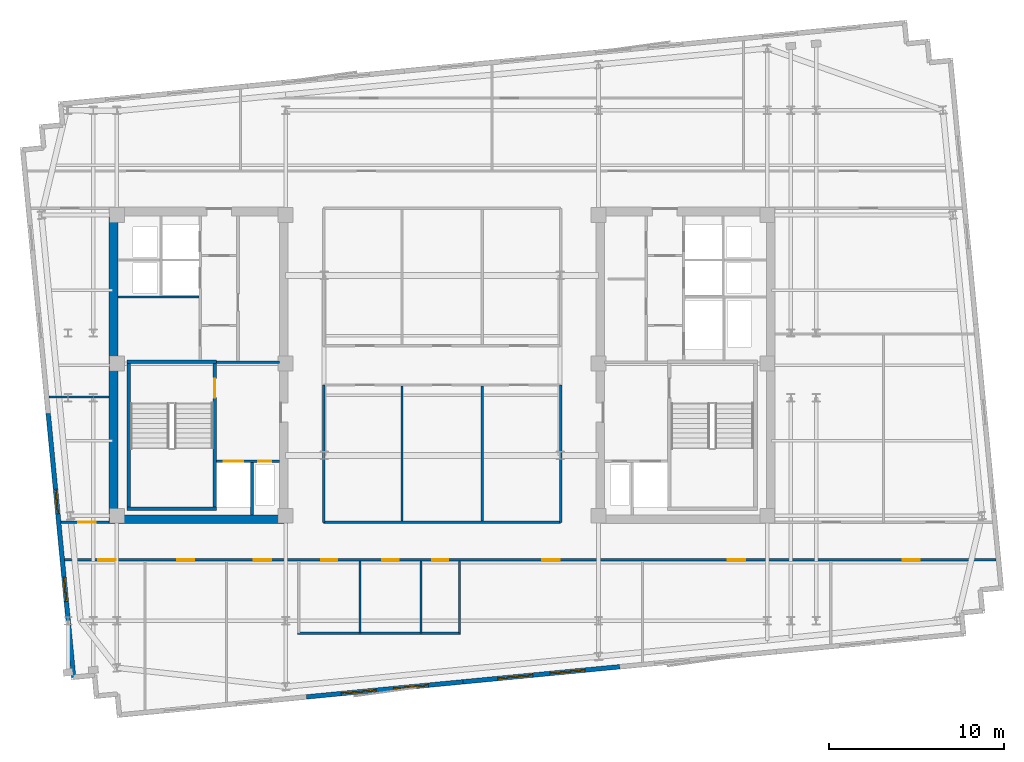
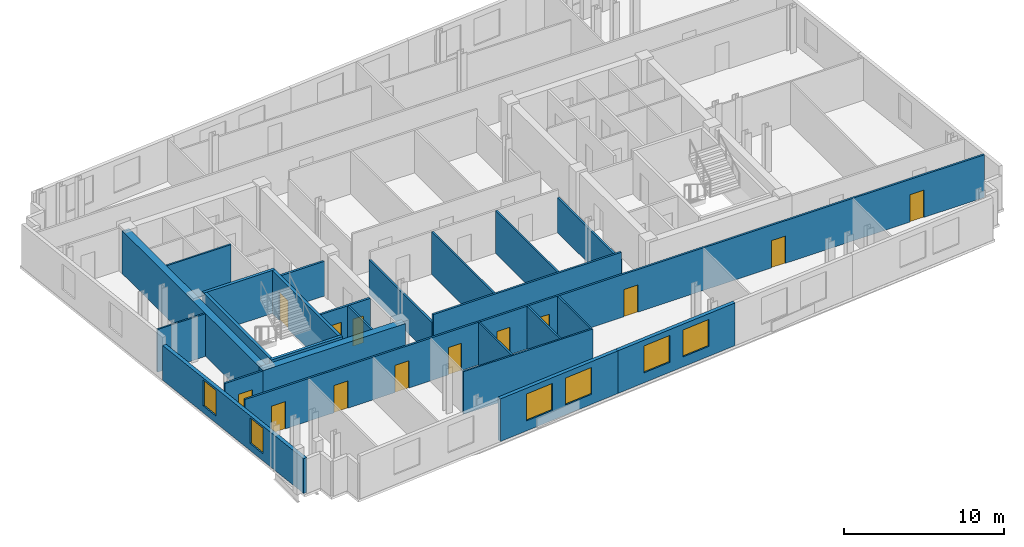
# One storey, part 3 of 9: 25 walls, 13 doors, 6 windows, 19 openings.
"""IFC4 building model written with IfcOpenShell, lengths in metres."""

from ifc_helpers import new_model, si_unit, direction, frame, frame_2d, origin, place, context, subcontext, project, spatial, rectangle, extrude, material, layer, layer_set, type_object, element, fill, save


model = new_model("IFC4")

# Units and contexts
model_context = context("Model", 3, precision=1e-05, world=origin(), true_north=direction((0.0, 1.0)))
body_context = subcontext(model_context, "Body", "Model", "MODEL_VIEW")
ifc_project = project(units=[si_unit("LENGTHUNIT", "METRE"), si_unit("AREAUNIT", "SQUARE_METRE"), si_unit("VOLUMEUNIT", "CUBIC_METRE"), si_unit("PLANEANGLEUNIT", "RADIAN"), si_unit("MASSUNIT", "GRAM", prefix="KILO")], contexts=[model_context])

# Site, building, storey
site_placement = place(None, origin())
site = spatial("IfcSite", under=ifc_project, at=site_placement, CompositionType="ELEMENT")
building_placement = place(site_placement, origin())
building = spatial("IfcBuilding", under=site, at=building_placement, Name="Velakula Bourse", CompositionType="ELEMENT")
storey_placement = place(building_placement, frame((0.0, 0.0, 272.39990234375)))
storey = spatial("IfcBuildingStorey", under=building, at=storey_placement, Name="L74", CompositionType="ELEMENT", Elevation=272.39990234375)

# Wall, opening, door
ifc_material_1 = material(Name="Concrete M50 (fck 50 MPa)", Category="concrete")
ifc_layer_1 = layer(ifc_material_1, 0.2099609375, Name="Concrete M50 (fck 50 MPa)", Category="concrete")
ifc_layer_set_1 = layer_set([ifc_layer_1], Name="Concrete M50 (fck 50 MPa)")
wall_type_1 = type_object("IfcWallType", Name="WL-CORE-210", PredefinedType="SHEAR", material=ifc_layer_set_1)
wall_1_placement = place(storey_placement, frame((-12.9951171875, -8.10009765625, 0.0), z_axis=(0.0, 0.0, 1.0), x_axis=(0.0, 1.0, 0.0)))
wall_1 = element("IfcWall", 1, at=wall_1_placement, inside=storey, type_object=wall_type_1, Name="L74 Core W Stairwell Shear Wall IN", PredefinedType="SHEAR", context=body_context, shape_type="SweptSolid", body=[
    extrude(rectangle(XDim=8.2001953125, YDim=0.2099609375, at=frame_2d((4.10009765625, 0.0))), origin(), (0.0, 0.0, 1.0), 3.27001953125),
])
opening_1_placement = place(wall_1_placement, frame((6.25, 0.0, 0.0)))
opening_1 = element("IfcOpeningElement", 2, at=opening_1_placement, cuts=wall_1, Name="Opening D-STW1", PredefinedType="OPENING", context=body_context, shape_type="SweptSolid", body=[
    extrude(rectangle(XDim=1.10009765625, YDim=2.14990234375, at=frame_2d((0.550048828125, 1.074951171875))), frame((0.0, 0.114990234375, 0.0), z_axis=(0.0, -1.0, 0.0), x_axis=(1.0, 0.0, 0.0)), (0.0, 0.0, 1.0), 0.22998046875),
])
ifc_material_2 = material(Name="Galvanised painted hollow steel fire door", Category="steel")
door_type_1 = type_object("IfcDoorType", Name="DR-FD120-1100x2150", OperationType="NOTDEFINED", PredefinedType="DOOR", material=ifc_material_2)
door_1_placement = place(opening_1_placement, origin())
door_1 = element("IfcDoor", 3, at=door_1_placement, inside=storey, type_object=door_type_1, Name="L74 Stair ST-W1 Fire Door", OperationType="SINGLE_SWING_LEFT", OverallHeight=2.14990234375, OverallWidth=1.10009765625, PredefinedType="DOOR", context=body_context, shape_type="SweptSolid", body=[
    extrude(rectangle(XDim=1.10009765625, YDim=2.14990234375, at=frame_2d((0.550048828125, 1.074951171875))), frame((0.0, 0.02490234375, 0.0), z_axis=(0.0, -1.0, 0.0), x_axis=(1.0, 0.0, 0.0)), (0.0, 0.0, 1.0), 0.050048828125),
])
fill(opening_1, door_1)

# Walls
wall_2_placement = place(storey_placement, frame((-17.925048828125, -8.10009765625, 0.0), z_axis=(0.0, 0.0, 1.0), x_axis=(0.0, 1.0, 0.0)))
element("IfcWall", 4, at=wall_2_placement, inside=storey, type_object=wall_type_1, Name="L74 Core W Stairwell Shear Wall OUT", PredefinedType="SHEAR", context=body_context, shape_type="SweptSolid", body=[
    extrude(rectangle(XDim=8.2001953125, YDim=0.2099609375, at=frame_2d((4.10009765625, 0.0))), origin(), (0.0, 0.0, 1.0), 3.27001953125),
])
for number, where, z_axis, x_axis, name in (
    (5, (-18.030029296875, -8.205078125, 0.0), (0.0, 0.0, 1.0), (1.0, 0.0, 0.0), "L74 Core W Stairwell Shear Wall S"),
    (6, (-12.889892578125, 0.205078125, 0.0), (0.0, 0.0, 1.0), (-1.0, 0.0, 0.0), "L74 Core W Stairwell Shear Wall N"),
):
    element("IfcWall", number, at=place(storey_placement, frame(where, z_axis=z_axis, x_axis=x_axis)), inside=storey, type_object=wall_type_1, Name=name, PredefinedType="SHEAR", context=body_context, shape_type="SweptSolid", body=[
        extrude(rectangle(XDim=5.14013671875, YDim=0.2099609375, at=frame_2d((2.570068359375, 0.0))), origin(), (0.0, 0.0, 1.0), 3.27001953125),
    ])
ifc_layer_2 = layer(ifc_material_1, 0.5, Name="Concrete M50 (fck 50 MPa)", Category="concrete")
ifc_layer_set_2 = layer_set([ifc_layer_2], Name="Concrete M50 (fck 50 MPa)")
wall_type_2 = type_object("IfcWallType", Name="WL-CORE-500", PredefinedType="SHEAR", material=ifc_layer_set_2)
wall_3_placement = place(storey_placement, frame((-19.050048828125, -8.800048828125, 0.0), z_axis=(0.0, 0.0, 1.0), x_axis=(1.0, 0.0, 0.0)))
element("IfcWall", 7, at=wall_3_placement, inside=storey, type_object=wall_type_2, Name="L74 Core W Shear Wall S", PredefinedType="SHEAR", context=body_context, shape_type="SweptSolid", body=[
    extrude(rectangle(XDim=10.25, YDim=0.5, at=frame_2d((5.125, 0.0))), origin(), (0.0, 0.0, 1.0), 3.27001953125),
])
wall_4_placement = place(storey_placement, frame((-18.800048828125, -8.550048828125, 0.0), z_axis=(0.0, 0.0, 1.0), x_axis=(0.0, 1.0, 0.0)))
element("IfcWall", 8, at=wall_4_placement, inside=storey, type_object=wall_type_2, Name="L74 Core W Shear Wall W", PredefinedType="SHEAR", context=body_context, shape_type="SweptSolid", body=[
    extrude(rectangle(XDim=17.10009765625, YDim=0.5, at=frame_2d((8.550048828125, 0.0))), origin(), (0.0, 0.0, 1.0), 3.27001953125),
])

# Wall, openings, windows
ifc_material_3 = material(Name="Buff kilned clay facing brick masonry", Category="masonry")
ifc_layer_3 = layer(ifc_material_3, 0.260009765625, Name="Buff kilned clay facing brick masonry", Category="masonry")
ifc_layer_set_3 = layer_set([ifc_layer_3], Name="Buff kilned clay facing brick masonry")
wall_type_3 = type_object("IfcWallType", Name="WL-EXT-BRK-260", PredefinedType="STANDARD", material=ifc_layer_set_3)
wall_5_placement = place(storey_placement, frame((1.202880859375, -18.1005859375, 0.0), z_axis=(0.0, 0.0, 1.0), x_axis=(-0.995397043619, -0.095836973841, 0.0)))
wall_5 = element("IfcWall", 9, at=wall_5_placement, inside=storey, type_object=wall_type_3, Name="L74 S Brick Spandrel Wall B2", PredefinedType="STANDARD", context=body_context, shape_type="SweptSolid", body=[
    extrude(rectangle(XDim=9.000244140625, YDim=0.260009765625, at=frame_2d((4.5, 0.0))), origin(), (0.0, 0.0, 1.0), 3.25),
])
opening_2_placement = place(wall_5_placement, frame((2.0, 0.0, 0.760009765625)))
opening_2 = element("IfcOpeningElement", 10, at=opening_2_placement, cuts=wall_5, Name="Opening W-05", PredefinedType="OPENING", context=body_context, shape_type="SweptSolid", body=[
    extrude(rectangle(XDim=2.0, YDim=2.050048828125, at=frame_2d((1.0, 1.02490234375))), frame((0.0, 0.139892578125, 0.0), z_axis=(0.0, -1.0, 0.0), x_axis=(1.0, 0.0, 0.0)), (0.0, 0.0, 1.0), 0.280029296875),
])
opening_3_placement = place(wall_5_placement, frame((5.0, 0.0, 0.760009765625)))
opening_3 = element("IfcOpeningElement", 11, at=opening_3_placement, cuts=wall_5, Name="Opening W-05", PredefinedType="OPENING", context=body_context, shape_type="SweptSolid", body=[
    extrude(rectangle(XDim=2.0, YDim=2.050048828125, at=frame_2d((1.0, 1.02490234375))), frame((0.0, 0.139892578125, 0.0), z_axis=(0.0, -1.0, 0.0), x_axis=(1.0, 0.0, 0.0)), (0.0, 0.0, 1.0), 0.280029296875),
])
ifc_material_4 = material(Name="Double-glazed solar-control Low-E glass", Category="glass")
window_type_1 = type_object("IfcWindowType", Name="WIN-TWR-2000x2200", PartitioningType="DOUBLE_PANEL_VERTICAL", PredefinedType="WINDOW", material=ifc_material_4)
window_1_placement = place(opening_2_placement, origin())
window_1 = element("IfcWindow", 12, at=window_1_placement, inside=storey, type_object=window_type_1, Name="L74 Deep-Set Recessed Window 1", OverallHeight=2.050048828125, OverallWidth=2.0, PartitioningType="DOUBLE_PANEL_VERTICAL", PredefinedType="WINDOW", context=body_context, shape_type="SweptSolid", body=[
    extrude(rectangle(XDim=2.0, YDim=2.050048828125, at=frame_2d((1.0, 1.02490234375))), frame((0.0, 0.030029296875, 0.0), z_axis=(0.0, -1.0, 0.0), x_axis=(1.0, 0.0, 0.0)), (0.0, 0.0, 1.0), 0.06005859375),
])
fill(opening_2, window_1)
window_2_placement = place(opening_3_placement, origin())
window_2 = element("IfcWindow", 13, at=window_2_placement, inside=storey, type_object=window_type_1, Name="L74 Deep-Set Recessed Window 2", OverallHeight=2.050048828125, OverallWidth=2.0, PartitioningType="DOUBLE_PANEL_VERTICAL", PredefinedType="WINDOW", context=body_context, shape_type="SweptSolid", body=[
    extrude(rectangle(XDim=2.0, YDim=2.050048828125, at=frame_2d((1.0, 1.02490234375))), frame((0.0, 0.030029296875, 0.0), z_axis=(0.0, -1.0, 0.0), x_axis=(1.0, 0.0, 0.0)), (0.0, 0.0, 1.0), 0.06005859375),
])
fill(opening_3, window_2)

wall_6_placement = place(storey_placement, frame((10.161376953125, -17.23779296875, 0.0), z_axis=(0.0, 0.0, 1.0), x_axis=(-0.995394206237, -0.095866439332, 0.0)))
wall_6 = element("IfcWall", 14, at=wall_6_placement, inside=storey, type_object=wall_type_3, Name="L74 S Brick Spandrel Wall B3", PredefinedType="STANDARD", context=body_context, shape_type="SweptSolid", body=[
    extrude(rectangle(XDim=9.0, YDim=0.260009765625, at=frame_2d((4.5, 0.0))), origin(), (0.0, 0.0, 1.0), 3.25),
])
opening_4_placement = place(wall_6_placement, frame((2.0, 0.0, 0.760009765625)))
opening_4 = element("IfcOpeningElement", 15, at=opening_4_placement, cuts=wall_6, Name="Opening W-05", PredefinedType="OPENING", context=body_context, shape_type="SweptSolid", body=[
    extrude(rectangle(XDim=2.0, YDim=2.050048828125, at=frame_2d((1.0, 1.02490234375))), frame((0.0, 0.139892578125, 0.0), z_axis=(0.0, -1.0, 0.0), x_axis=(1.0, 0.0, 0.0)), (0.0, 0.0, 1.0), 0.280029296875),
])
opening_5_placement = place(wall_6_placement, frame((5.0, 0.0, 0.760009765625)))
opening_5 = element("IfcOpeningElement", 16, at=opening_5_placement, cuts=wall_6, Name="Opening W-05", PredefinedType="OPENING", context=body_context, shape_type="SweptSolid", body=[
    extrude(rectangle(XDim=2.0, YDim=2.050048828125, at=frame_2d((1.0, 1.02490234375))), frame((0.0, 0.139892578125, 0.0), z_axis=(0.0, -1.0, 0.0), x_axis=(1.0, 0.0, 0.0)), (0.0, 0.0, 1.0), 0.280029296875),
])
window_3_placement = place(opening_4_placement, origin())
window_3 = element("IfcWindow", 17, at=window_3_placement, inside=storey, type_object=window_type_1, Name="L74 Deep-Set Recessed Window 1", OverallHeight=2.050048828125, OverallWidth=2.0, PartitioningType="DOUBLE_PANEL_VERTICAL", PredefinedType="WINDOW", context=body_context, shape_type="SweptSolid", body=[
    extrude(rectangle(XDim=2.0, YDim=2.050048828125, at=frame_2d((1.0, 1.02490234375))), frame((0.0, 0.030029296875, 0.0), z_axis=(0.0, -1.0, 0.0), x_axis=(1.0, 0.0, 0.0)), (0.0, 0.0, 1.0), 0.06005859375),
])
fill(opening_4, window_3)
window_4_placement = place(opening_5_placement, origin())
window_4 = element("IfcWindow", 18, at=window_4_placement, inside=storey, type_object=window_type_1, Name="L74 Deep-Set Recessed Window 2", OverallHeight=2.050048828125, OverallWidth=2.0, PartitioningType="DOUBLE_PANEL_VERTICAL", PredefinedType="WINDOW", context=body_context, shape_type="SweptSolid", body=[
    extrude(rectangle(XDim=2.0, YDim=2.050048828125, at=frame_2d((1.0, 1.02490234375))), frame((0.0, 0.030029296875, 0.0), z_axis=(0.0, -1.0, 0.0), x_axis=(1.0, 0.0, 0.0)), (0.0, 0.0, 1.0), 0.06005859375),
])
fill(opening_5, window_4)

wall_7_placement = place(storey_placement, frame((-21.0751953125, -17.83447265625, 0.0), z_axis=(0.0, 0.0, 1.0), x_axis=(-0.095852427869, 0.995395555582, 0.0)))
wall_7 = element("IfcWall", 19, at=wall_7_placement, inside=storey, type_object=wall_type_3, Name="L74 W Brick End Wall W1", PredefinedType="STANDARD", context=body_context, shape_type="SweptSolid", body=[
    extrude(rectangle(XDim=15.14990234375, YDim=0.260009765625, at=frame_2d((7.574951171875, 0.0))), origin(), (0.0, 0.0, 1.0), 2.64501953125),
])
opening_6_placement = place(wall_7_placement, frame((4.35009765625, 0.0, 0.534912109375)))
opening_6 = element("IfcOpeningElement", 20, at=opening_6_placement, cuts=wall_7, Name="Opening W-03", PredefinedType="OPENING", context=body_context, shape_type="SweptSolid", body=[
    extrude(rectangle(XDim=1.39990234375, YDim=1.949951171875, at=frame_2d((0.699951171875, 0.97509765625))), frame((0.0, 0.139892578125, 0.0), z_axis=(0.0, -1.0, 0.0), x_axis=(1.0, 0.0, 0.0)), (0.0, 0.0, 1.0), 0.280029296875),
])
opening_7_placement = place(wall_7_placement, frame((9.39990234375, 0.0, 0.534912109375)))
opening_7 = element("IfcOpeningElement", 21, at=opening_7_placement, cuts=wall_7, Name="Opening W-03", PredefinedType="OPENING", context=body_context, shape_type="SweptSolid", body=[
    extrude(rectangle(XDim=1.39990234375, YDim=1.949951171875, at=frame_2d((0.699951171875, 0.97509765625))), frame((0.0, 0.139892578125, 0.0), z_axis=(0.0, -1.0, 0.0), x_axis=(1.0, 0.0, 0.0)), (0.0, 0.0, 1.0), 0.280029296875),
])
window_type_2 = type_object("IfcWindowType", Name="WIN-TWR-1400x2100", PartitioningType="SINGLE_PANEL", PredefinedType="WINDOW", material=ifc_material_4)
window_5_placement = place(opening_6_placement, origin())
window_5 = element("IfcWindow", 22, at=window_5_placement, inside=storey, type_object=window_type_2, Name="L74 Deep-Set Recessed Window 1", OverallHeight=1.949951171875, OverallWidth=1.39990234375, PartitioningType="SINGLE_PANEL", PredefinedType="WINDOW", context=body_context, shape_type="SweptSolid", body=[
    extrude(rectangle(XDim=1.39990234375, YDim=1.949951171875, at=frame_2d((0.699951171875, 0.97509765625))), frame((0.0, 0.030029296875, 0.0), z_axis=(0.0, -1.0, 0.0), x_axis=(1.0, 0.0, 0.0)), (0.0, 0.0, 1.0), 0.06005859375),
])
fill(opening_6, window_5)
window_6_placement = place(opening_7_placement, origin())
window_6 = element("IfcWindow", 23, at=window_6_placement, inside=storey, type_object=window_type_2, Name="L74 Deep-Set Recessed Window 2", OverallHeight=1.949951171875, OverallWidth=1.39990234375, PartitioningType="SINGLE_PANEL", PredefinedType="WINDOW", context=body_context, shape_type="SweptSolid", body=[
    extrude(rectangle(XDim=1.39990234375, YDim=1.949951171875, at=frame_2d((0.699951171875, 0.97509765625))), frame((0.0, 0.030029296875, 0.0), z_axis=(0.0, -1.0, 0.0), x_axis=(1.0, 0.0, 0.0)), (0.0, 0.0, 1.0), 0.06005859375),
])
fill(opening_7, window_6)

# Walls
ifc_material_5 = material(Name="Fire-rated double-layer gypsum drywall partition", Category="gypsum")
ifc_layer_4 = layer(ifc_material_5, 0.1201171875, Name="Fire-rated double-layer gypsum drywall partition", Category="gypsum")
ifc_layer_set_4 = layer_set([ifc_layer_4], Name="Fire-rated double-layer gypsum drywall partition")
wall_type_4 = type_object("IfcWallType", Name="WL-PART-120", PredefinedType="STANDARD", material=ifc_layer_set_4)
wall_8_placement = place(storey_placement, frame((-18.550048828125, 3.919921875, 0.0), z_axis=(0.0, 0.0, 1.0), x_axis=(1.0, 0.0, 0.0)))
element("IfcWall", 24, at=wall_8_placement, inside=storey, type_object=wall_type_4, Name="L74 Interior Partition WL-CRW-L74-HI-S", PredefinedType="STANDARD", context=body_context, shape_type="SweptSolid", body=[
    extrude(rectangle(XDim=4.650146484375, YDim=0.1201171875, at=frame_2d((2.3251953125, 0.0))), origin(), (0.0, 0.0, 1.0), 3.25),
])
wall_9_placement = place(storey_placement, frame((-8.260009765625, -15.320068359375, 0.0), z_axis=(0.0, 0.0, 1.0), x_axis=(1.0, 0.0, 0.0)))
element("IfcWall", 25, at=wall_9_placement, inside=storey, type_object=wall_type_4, Name="L74 Interior Partition WL-WC-L74-BACK", PredefinedType="STANDARD", context=body_context, shape_type="SweptSolid", body=[
    extrude(rectangle(XDim=9.320068359375, YDim=0.1201171875, at=frame_2d((4.66015625, 0.0))), origin(), (0.0, 0.0, 1.0), 3.25),
])
for number, where, z_axis, x_axis, name in (
    (26, (-4.699951171875, -15.320068359375, 0.0), (0.0, 0.0, 1.0), (0.0, 1.0, 0.0), "L74 Interior Partition WL-WC-L74-V2"),
    (27, (-1.199951171875, -15.320068359375, 0.0), (0.0, 0.0, 1.0), (0.0, 1.0, 0.0), "L74 Interior Partition WL-WC-L74-V3"),
    (28, (1.0, -15.320068359375, 0.0), (0.0, 0.0, 1.0), (0.0, 1.0, 0.0), "L74 Interior Partition WL-WC-L74-V4"),
):
    element("IfcWall", number, at=place(storey_placement, frame(where, z_axis=z_axis, x_axis=x_axis)), inside=storey, type_object=wall_type_4, Name=name, PredefinedType="STANDARD", context=body_context, shape_type="SweptSolid", body=[
        extrude(rectangle(XDim=4.130126953125, YDim=0.1201171875, at=frame_2d((2.06494140625, 0.0))), origin(), (0.0, 0.0, 1.0), 3.25),
    ])
wall_10_placement = place(storey_placement, frame((-22.488525390625, -1.800048828125, 0.0), z_axis=(0.0, 0.0, 1.0), x_axis=(1.0, 0.0, 0.0)))
element("IfcWall", 29, at=wall_10_placement, inside=storey, type_object=wall_type_4, Name="L74 Interior Partition WL-INT-L74-W-H", PredefinedType="STANDARD", context=body_context, shape_type="SweptSolid", body=[
    extrude(rectangle(XDim=3.4384765625, YDim=0.1201171875, at=frame_2d((1.71923828125, 0.0))), origin(), (0.0, 0.0, 1.0), 3.25),
])

# Wall, openings, doors
ifc_layer_5 = layer(ifc_material_5, 0.139892578125, Name="Fire-rated double-layer gypsum drywall partition", Category="gypsum")
ifc_layer_set_5 = layer_set([ifc_layer_5], Name="Fire-rated double-layer gypsum drywall partition")
wall_type_5 = type_object("IfcWallType", Name="WL-PART-140", PredefinedType="STANDARD", material=ifc_layer_set_5)
wall_11_placement = place(storey_placement, frame((-21.59130859375, -11.1201171875, 0.0), z_axis=(0.0, 0.0, 1.0), x_axis=(1.0, 0.0, 0.0)))
wall_11 = element("IfcWall", 30, at=wall_11_placement, inside=storey, type_object=wall_type_5, Name="L74 Interior Partition WL-INT-L74-S-CORR", PredefinedType="STANDARD", context=body_context, shape_type="SweptSolid", body=[
    extrude(rectangle(XDim=53.285400390625, YDim=0.139892578125, at=frame_2d((26.642578125, 0.0))), origin(), (0.0, 0.0, 1.0), 3.25),
])
opening_8_placement = place(wall_11_placement, frame((14.68115234375, 0.0, 0.0)))
opening_8 = element("IfcOpeningElement", 31, at=opening_8_placement, cuts=wall_11, Name="Opening D-WT1", PredefinedType="OPENING", context=body_context, shape_type="SweptSolid", body=[
    extrude(rectangle(XDim=0.919921875, YDim=2.080078125, at=frame_2d((0.4599609375, 1.0400390625))), frame((0.0, 0.079833984375, 0.0), z_axis=(0.0, -1.0, 0.0), x_axis=(1.0, 0.0, 0.0)), (0.0, 0.0, 1.0), 0.159912109375),
])
opening_9_placement = place(wall_11_placement, frame((18.18115234375, 0.0, 0.0)))
opening_9 = element("IfcOpeningElement", 32, at=opening_9_placement, cuts=wall_11, Name="Opening D-WT1", PredefinedType="OPENING", context=body_context, shape_type="SweptSolid", body=[
    extrude(rectangle(XDim=0.919921875, YDim=2.080078125, at=frame_2d((0.4599609375, 1.0400390625))), frame((0.0, 0.079833984375, 0.0), z_axis=(0.0, -1.0, 0.0), x_axis=(1.0, 0.0, 0.0)), (0.0, 0.0, 1.0), 0.159912109375),
])
opening_10_placement = place(wall_11_placement, frame((21.03125, 0.0, 0.0)))
opening_10 = element("IfcOpeningElement", 33, at=opening_10_placement, cuts=wall_11, Name="Opening D-WC1", PredefinedType="OPENING", context=body_context, shape_type="SweptSolid", body=[
    extrude(rectangle(XDim=0.919921875, YDim=2.080078125, at=frame_2d((0.4599609375, 1.0400390625))), frame((0.0, 0.079833984375, 0.0), z_axis=(0.0, -1.0, 0.0), x_axis=(1.0, 0.0, 0.0)), (0.0, 0.0, 1.0), 0.159912109375),
])
opening_11_placement = place(wall_11_placement, frame((1.924560546875, 0.0, 0.0)))
opening_11 = element("IfcOpeningElement", 34, at=opening_11_placement, cuts=wall_11, Name="Opening D-OF1", PredefinedType="OPENING", context=body_context, shape_type="SweptSolid", body=[
    extrude(rectangle(XDim=1.0, YDim=2.080078125, at=frame_2d((0.5, 1.0400390625))), frame((0.0, 0.079833984375, 0.0), z_axis=(0.0, -1.0, 0.0), x_axis=(1.0, 0.0, 0.0)), (0.0, 0.0, 1.0), 0.159912109375),
])
opening_12_placement = place(wall_11_placement, frame((6.42919921875, 0.0, 0.0)))
opening_12 = element("IfcOpeningElement", 35, at=opening_12_placement, cuts=wall_11, Name="Opening D-OF1", PredefinedType="OPENING", context=body_context, shape_type="SweptSolid", body=[
    extrude(rectangle(XDim=1.0, YDim=2.080078125, at=frame_2d((0.5, 1.0400390625))), frame((0.0, 0.079833984375, 0.0), z_axis=(0.0, -1.0, 0.0), x_axis=(1.0, 0.0, 0.0)), (0.0, 0.0, 1.0), 0.159912109375),
])
opening_13_placement = place(wall_11_placement, frame((10.826171875, 0.0, 0.0)))
opening_13 = element("IfcOpeningElement", 36, at=opening_13_placement, cuts=wall_11, Name="Opening D-OF1", PredefinedType="OPENING", context=body_context, shape_type="SweptSolid", body=[
    extrude(rectangle(XDim=1.0, YDim=2.080078125, at=frame_2d((0.5, 1.0400390625))), frame((0.0, 0.079833984375, 0.0), z_axis=(0.0, -1.0, 0.0), x_axis=(1.0, 0.0, 0.0)), (0.0, 0.0, 1.0), 0.159912109375),
])
opening_14_placement = place(wall_11_placement, frame((27.322265625, 0.0, 0.0)))
opening_14 = element("IfcOpeningElement", 37, at=opening_14_placement, cuts=wall_11, Name="Opening D-OF1", PredefinedType="OPENING", context=body_context, shape_type="SweptSolid", body=[
    extrude(rectangle(XDim=1.0, YDim=2.080078125, at=frame_2d((0.5, 1.0400390625))), frame((0.0, 0.079833984375, 0.0), z_axis=(0.0, -1.0, 0.0), x_axis=(1.0, 0.0, 0.0)), (0.0, 0.0, 1.0), 0.159912109375),
])
opening_15_placement = place(wall_11_placement, frame((37.938720703125, 0.0, 0.0)))
opening_15 = element("IfcOpeningElement", 38, at=opening_15_placement, cuts=wall_11, Name="Opening D-OF1", PredefinedType="OPENING", context=body_context, shape_type="SweptSolid", body=[
    extrude(rectangle(XDim=1.0, YDim=2.080078125, at=frame_2d((0.5, 1.0400390625))), frame((0.0, 0.079833984375, 0.0), z_axis=(0.0, -1.0, 0.0), x_axis=(1.0, 0.0, 0.0)), (0.0, 0.0, 1.0), 0.159912109375),
])
opening_16_placement = place(wall_11_placement, frame((47.9287109375, 0.0, 0.0)))
opening_16 = element("IfcOpeningElement", 39, at=opening_16_placement, cuts=wall_11, Name="Opening D-OF1", PredefinedType="OPENING", context=body_context, shape_type="SweptSolid", body=[
    extrude(rectangle(XDim=1.0, YDim=2.080078125, at=frame_2d((0.5, 1.0400390625))), frame((0.0, 0.079833984375, 0.0), z_axis=(0.0, -1.0, 0.0), x_axis=(1.0, 0.0, 0.0)), (0.0, 0.0, 1.0), 0.159912109375),
])
ifc_material_6 = material(Name="Fire-rated hardwood flush architectural door", Category="wood")
door_type_2 = type_object("IfcDoorType", Name="DR-OFF-1000", OperationType="NOTDEFINED", PredefinedType="DOOR", material=ifc_material_6)
door_2_placement = place(opening_11_placement, origin())
door_2 = element("IfcDoor", 40, at=door_2_placement, inside=storey, type_object=door_type_2, Name="L74 Traders Bistro Restaurant Door", OperationType="SINGLE_SWING_RIGHT", OverallHeight=2.080078125, OverallWidth=1.0, PredefinedType="DOOR", context=body_context, shape_type="SweptSolid", body=[
    extrude(rectangle(XDim=1.0, YDim=2.080078125, at=frame_2d((0.5, 1.0400390625))), frame((0.0, 0.02490234375, 0.0), z_axis=(0.0, -1.0, 0.0), x_axis=(1.0, 0.0, 0.0)), (0.0, 0.0, 1.0), 0.050048828125),
])
fill(opening_11, door_2)
door_3_placement = place(opening_12_placement, origin())
door_3 = element("IfcDoor", 41, at=door_3_placement, inside=storey, type_object=door_type_2, Name="L74 Company Secretary Office Door", OperationType="SINGLE_SWING_LEFT", OverallHeight=2.080078125, OverallWidth=1.0, PredefinedType="DOOR", context=body_context, shape_type="SweptSolid", body=[
    extrude(rectangle(XDim=1.0, YDim=2.080078125, at=frame_2d((0.5, 1.0400390625))), frame((0.0, 0.02490234375, 0.0), z_axis=(0.0, -1.0, 0.0), x_axis=(1.0, 0.0, 0.0)), (0.0, 0.0, 1.0), 0.050048828125),
])
fill(opening_12, door_3)
door_4_placement = place(opening_13_placement, origin())
door_4 = element("IfcDoor", 42, at=door_4_placement, inside=storey, type_object=door_type_2, Name="L74 Training Classroom Door", OperationType="SINGLE_SWING_RIGHT", OverallHeight=2.080078125, OverallWidth=1.0, PredefinedType="DOOR", context=body_context, shape_type="SweptSolid", body=[
    extrude(rectangle(XDim=1.0, YDim=2.080078125, at=frame_2d((0.5, 1.0400390625))), frame((0.0, 0.02490234375, 0.0), z_axis=(0.0, -1.0, 0.0), x_axis=(1.0, 0.0, 0.0)), (0.0, 0.0, 1.0), 0.050048828125),
])
fill(opening_13, door_4)
door_5_placement = place(opening_14_placement, origin())
door_5 = element("IfcDoor", 43, at=door_5_placement, inside=storey, type_object=door_type_2, Name="L74 Tea Room Kitchenette Door", OperationType="SINGLE_SWING_LEFT", OverallHeight=2.080078125, OverallWidth=1.0, PredefinedType="DOOR", context=body_context, shape_type="SweptSolid", body=[
    extrude(rectangle(XDim=1.0, YDim=2.080078125, at=frame_2d((0.5, 1.0400390625))), frame((0.0, 0.02490234375, 0.0), z_axis=(0.0, -1.0, 0.0), x_axis=(1.0, 0.0, 0.0)), (0.0, 0.0, 1.0), 0.050048828125),
])
fill(opening_14, door_5)
door_6_placement = place(opening_15_placement, origin())
door_6 = element("IfcDoor", 44, at=door_6_placement, inside=storey, type_object=door_type_2, Name="L74 Market Surveillance Control Workspace Door", OperationType="SINGLE_SWING_RIGHT", OverallHeight=2.080078125, OverallWidth=1.0, PredefinedType="DOOR", context=body_context, shape_type="SweptSolid", body=[
    extrude(rectangle(XDim=1.0, YDim=2.080078125, at=frame_2d((0.5, 1.0400390625))), frame((0.0, 0.02490234375, 0.0), z_axis=(0.0, -1.0, 0.0), x_axis=(1.0, 0.0, 0.0)), (0.0, 0.0, 1.0), 0.050048828125),
])
fill(opening_15, door_6)
door_7_placement = place(opening_16_placement, origin())
door_7 = element("IfcDoor", 45, at=door_7_placement, inside=storey, type_object=door_type_2, Name="L74 General Counsel Office Door", OperationType="SINGLE_SWING_LEFT", OverallHeight=2.080078125, OverallWidth=1.0, PredefinedType="DOOR", context=body_context, shape_type="SweptSolid", body=[
    extrude(rectangle(XDim=1.0, YDim=2.080078125, at=frame_2d((0.5, 1.0400390625))), frame((0.0, 0.02490234375, 0.0), z_axis=(0.0, -1.0, 0.0), x_axis=(1.0, 0.0, 0.0)), (0.0, 0.0, 1.0), 0.050048828125),
])
fill(opening_16, door_7)
door_type_3 = type_object("IfcDoorType", Name="DR-WC-950", OperationType="NOTDEFINED", PredefinedType="DOOR", material=ifc_material_6)
door_8_placement = place(opening_8_placement, origin())
door_8 = element("IfcDoor", 46, at=door_8_placement, inside=storey, type_object=door_type_3, Name="L74 Male Staff Toilet Door", OperationType="SINGLE_SWING_LEFT", OverallHeight=2.080078125, OverallWidth=0.919921875, PredefinedType="DOOR", context=body_context, shape_type="SweptSolid", body=[
    extrude(rectangle(XDim=0.919921875, YDim=2.080078125, at=frame_2d((0.4599609375, 1.0400390625))), frame((0.0, 0.02490234375, 0.0), z_axis=(0.0, -1.0, 0.0), x_axis=(1.0, 0.0, 0.0)), (0.0, 0.0, 1.0), 0.050048828125),
])
fill(opening_8, door_8)
door_9_placement = place(opening_9_placement, origin())
door_9 = element("IfcDoor", 47, at=door_9_placement, inside=storey, type_object=door_type_3, Name="L74 Female Staff Toilet Door", OperationType="SINGLE_SWING_RIGHT", OverallHeight=2.080078125, OverallWidth=0.919921875, PredefinedType="DOOR", context=body_context, shape_type="SweptSolid", body=[
    extrude(rectangle(XDim=0.919921875, YDim=2.080078125, at=frame_2d((0.4599609375, 1.0400390625))), frame((0.0, 0.02490234375, 0.0), z_axis=(0.0, -1.0, 0.0), x_axis=(1.0, 0.0, 0.0)), (0.0, 0.0, 1.0), 0.050048828125),
])
fill(opening_9, door_9)
door_10_placement = place(opening_10_placement, origin())
door_10 = element("IfcDoor", 48, at=door_10_placement, inside=storey, type_object=door_type_3, Name="L74 Accessible WC Door", OperationType="SINGLE_SWING_LEFT", OverallHeight=2.080078125, OverallWidth=0.919921875, PredefinedType="DOOR", context=body_context, shape_type="SweptSolid", body=[
    extrude(rectangle(XDim=0.919921875, YDim=2.080078125, at=frame_2d((0.4599609375, 1.0400390625))), frame((0.0, 0.02490234375, 0.0), z_axis=(0.0, -1.0, 0.0), x_axis=(1.0, 0.0, 0.0)), (0.0, 0.0, 1.0), 0.050048828125),
])
fill(opening_10, door_10)

# Wall, opening, door
wall_12_placement = place(storey_placement, frame((-21.797119140625, -8.97998046875, 0.0), z_axis=(0.0, 0.0, 1.0), x_axis=(1.0, 0.0, 0.0)))
wall_12 = element("IfcWall", 49, at=wall_12_placement, inside=storey, type_object=wall_type_5, Name="L74 Interior Partition WL-INT-L74-W-SC", PredefinedType="STANDARD", context=body_context, shape_type="SweptSolid", body=[
    extrude(rectangle(XDim=2.7470703125, YDim=0.139892578125, at=frame_2d((1.37353515625, 0.0))), origin(), (0.0, 0.0, 1.0), 3.25),
])
opening_17_placement = place(wall_12_placement, frame((0.984375, 0.0, 0.0)))
opening_17 = element("IfcOpeningElement", 50, at=opening_17_placement, cuts=wall_12, Name="Opening D-OF1", PredefinedType="OPENING", context=body_context, shape_type="SweptSolid", body=[
    extrude(rectangle(XDim=1.0, YDim=2.080078125, at=frame_2d((0.5, 1.0400390625))), frame((0.0, 0.079833984375, 0.0), z_axis=(0.0, -1.0, 0.0), x_axis=(1.0, 0.0, 0.0)), (0.0, 0.0, 1.0), 0.159912109375),
])
door_11_placement = place(opening_17_placement, origin())
door_11 = element("IfcDoor", 51, at=door_11_placement, inside=storey, type_object=door_type_2, Name="L74 Green-Bond Carbon Exchange Workspace Door", OperationType="SINGLE_SWING_LEFT", OverallHeight=2.080078125, OverallWidth=1.0, PredefinedType="DOOR", context=body_context, shape_type="SweptSolid", body=[
    extrude(rectangle(XDim=1.0, YDim=2.080078125, at=frame_2d((0.5, 1.0400390625))), frame((0.0, 0.02490234375, 0.0), z_axis=(0.0, -1.0, 0.0), x_axis=(1.0, 0.0, 0.0)), (0.0, 0.0, 1.0), 0.050048828125),
])
fill(opening_17, door_11)

# Walls
wall_13_placement = place(storey_placement, frame((-6.780029296875, -8.97998046875, 0.0), z_axis=(0.0, 0.0, 1.0), x_axis=(1.0, 0.0, 0.0)))
element("IfcWall", 52, at=wall_13_placement, inside=storey, type_object=wall_type_5, Name="L74 Interior Partition WL-INT-L74-MS-OUT", PredefinedType="STANDARD", context=body_context, shape_type="SweptSolid", body=[
    extrude(rectangle(XDim=13.56005859375, YDim=0.139892578125, at=frame_2d((6.780029296875, 0.0))), origin(), (0.0, 0.0, 1.0), 3.25),
])
for number, where, z_axis, x_axis, name in (
    (53, (-6.780029296875, -8.97998046875, 0.0), (0.0, 0.0, 1.0), (0.0, 1.0, 0.0), "L74 Interior Partition WL-INT-L74-MS-W"),
    (54, (6.780029296875, -8.97998046875, 0.0), (0.0, 0.0, 1.0), (0.0, 1.0, 0.0), "L74 Interior Partition WL-INT-L74-MS-E"),
):
    element("IfcWall", number, at=place(storey_placement, frame(where, z_axis=z_axis, x_axis=x_axis)), inside=storey, type_object=wall_type_5, Name=name, PredefinedType="STANDARD", context=body_context, shape_type="SweptSolid", body=[
        extrude(rectangle(XDim=7.85986328125, YDim=0.139892578125, at=frame_2d((3.929931640625, 0.0))), origin(), (0.0, 0.0, 1.0), 2.64501953125),
    ])
for number, where, z_axis, x_axis, name in (
    (55, (-2.300048828125, -8.909912109375, 0.0), (0.0, 0.0, 1.0), (0.0, 1.0, 0.0), "L74 Interior Partition WL-INT-L74-MS-V1"),
    (56, (2.300048828125, -8.909912109375, 0.0), (0.0, 0.0, 1.0), (0.0, 1.0, 0.0), "L74 Interior Partition WL-INT-L74-MS-V2"),
):
    element("IfcWall", number, at=place(storey_placement, frame(where, z_axis=z_axis, x_axis=x_axis)), inside=storey, type_object=wall_type_5, Name=name, PredefinedType="STANDARD", context=body_context, shape_type="SweptSolid", body=[
        extrude(rectangle(XDim=7.719970703125, YDim=0.1201171875, at=frame_2d((3.85986328125, 0.0))), origin(), (0.0, 0.0, 1.0), 3.25),
    ])

# Wall, openings, doors
ifc_material_7 = material(Name="Autoclaved aerated concrete blockwork masonry", Category="masonry")
ifc_layer_6 = layer(ifc_material_7, 0.14990234375, Name="Autoclaved aerated concrete blockwork masonry", Category="masonry")
ifc_layer_set_6 = layer_set([ifc_layer_6], Name="Autoclaved aerated concrete blockwork masonry")
wall_type_6 = type_object("IfcWallType", Name="WL-SHAFT-150", PredefinedType="STANDARD", material=ifc_layer_set_6)
wall_14_placement = place(storey_placement, frame((-12.89501953125, -5.47509765625, 0.0), z_axis=(0.0, 0.0, 1.0), x_axis=(1.0, 0.0, 0.0)))
wall_14 = element("IfcWall", 57, at=wall_14_placement, inside=storey, type_object=wall_type_6, Name="L74 Interior Partition WL-CRW-L74-FFL-N", PredefinedType="STANDARD", context=body_context, shape_type="SweptSolid", body=[
    extrude(rectangle(XDim=3.594970703125, YDim=0.14990234375, at=frame_2d((1.79736328125, 0.0))), origin(), (0.0, 0.0, 1.0), 3.25),
])
opening_18_placement = place(wall_14_placement, frame((0.419921875, 0.0, 0.0)))
opening_18 = element("IfcOpeningElement", 58, at=opening_18_placement, cuts=wall_14, Name="Opening LD-FFL-1", PredefinedType="OPENING", context=body_context, shape_type="SweptSolid", body=[
    extrude(rectangle(XDim=1.10009765625, YDim=2.14990234375, at=frame_2d((0.550048828125, 1.074951171875))), frame((0.0, 0.0849609375, 0.0), z_axis=(0.0, -1.0, 0.0), x_axis=(1.0, 0.0, 0.0)), (0.0, 0.0, 1.0), 0.169921875),
])
opening_19_placement = place(wall_14_placement, frame((2.3701171875, 0.0, 0.0)))
opening_19 = element("IfcOpeningElement", 59, at=opening_19_placement, cuts=wall_14, Name="Opening D-RS1", PredefinedType="OPENING", context=body_context, shape_type="SweptSolid", body=[
    extrude(rectangle(XDim=0.75, YDim=2.050048828125, at=frame_2d((0.375, 1.02490234375))), frame((0.0, 0.0849609375, 0.0), z_axis=(0.0, -1.0, 0.0), x_axis=(1.0, 0.0, 0.0)), (0.0, 0.0, 1.0), 0.169921875),
])
door_type_4 = type_object("IfcDoorType", Name="DR-RISER-800", OperationType="NOTDEFINED", PredefinedType="DOOR", material=ifc_material_2)
door_12_placement = place(opening_19_placement, origin())
door_12 = element("IfcDoor", 60, at=door_12_placement, inside=storey, type_object=door_type_4, Name="L74 Fire Riser Access Door", OperationType="SINGLE_SWING_LEFT", OverallHeight=2.050048828125, OverallWidth=0.75, PredefinedType="DOOR", context=body_context, shape_type="SweptSolid", body=[
    extrude(rectangle(XDim=0.75, YDim=2.050048828125, at=frame_2d((0.375, 1.02490234375))), frame((0.0, 0.02490234375, 0.0), z_axis=(0.0, -1.0, 0.0), x_axis=(1.0, 0.0, 0.0)), (0.0, 0.0, 1.0), 0.050048828125),
])
fill(opening_19, door_12)
ifc_material_8 = material(Name="Brushed grade 316 stainless steel", Category="steel")
door_type_5 = type_object("IfcDoorType", Name="DR-SLIDE-FFL-1100", OperationType="DOUBLE_DOOR_SLIDING", PredefinedType="DOOR", material=ifc_material_8)
door_13_placement = place(opening_18_placement, origin())
door_13 = element("IfcDoor", 61, at=door_13_placement, inside=storey, type_object=door_type_5, Name="L74 Firefighting Lift FFL-1 Sliding Landing Door", OperationType="DOUBLE_DOOR_SLIDING", OverallHeight=2.14990234375, OverallWidth=1.10009765625, PredefinedType="DOOR", context=body_context, shape_type="SweptSolid", body=[
    extrude(rectangle(XDim=1.10009765625, YDim=2.14990234375, at=frame_2d((0.550048828125, 1.074951171875))), frame((0.0, 0.02490234375, 0.0), z_axis=(0.0, -1.0, 0.0), x_axis=(1.0, 0.0, 0.0)), (0.0, 0.0, 1.0), 0.050048828125),
])
fill(opening_18, door_13)

# Walls
wall_15_placement = place(storey_placement, frame((-10.875, -8.550048828125, 0.0), z_axis=(0.0, 0.0, 1.0), x_axis=(0.0, 1.0, 0.0)))
element("IfcWall", 62, at=wall_15_placement, inside=storey, type_object=wall_type_6, Name="L74 Interior Partition WL-CRW-L74-FR-DIV", PredefinedType="STANDARD", context=body_context, shape_type="SweptSolid", body=[
    extrude(rectangle(XDim=3.0, YDim=0.14990234375, at=frame_2d((1.5, 0.0))), origin(), (0.0, 0.0, 1.0), 3.25),
])
wall_16_placement = place(storey_placement, frame((-12.889892578125, 0.18994140625, 0.0), z_axis=(0.0, 0.0, 1.0), x_axis=(1.0, 0.0, 0.0)))
element("IfcWall", 63, at=wall_16_placement, inside=storey, type_object=wall_type_6, Name="L74 Interior Partition WL-CRW-L74-FF-TOP", PredefinedType="STANDARD", context=body_context, shape_type="SweptSolid", body=[
    extrude(rectangle(XDim=3.58984375, YDim=0.14990234375, at=frame_2d((1.794921875, 0.0))), origin(), (0.0, 0.0, 1.0), 2.64501953125),
])

save(model, "model.ifc")
